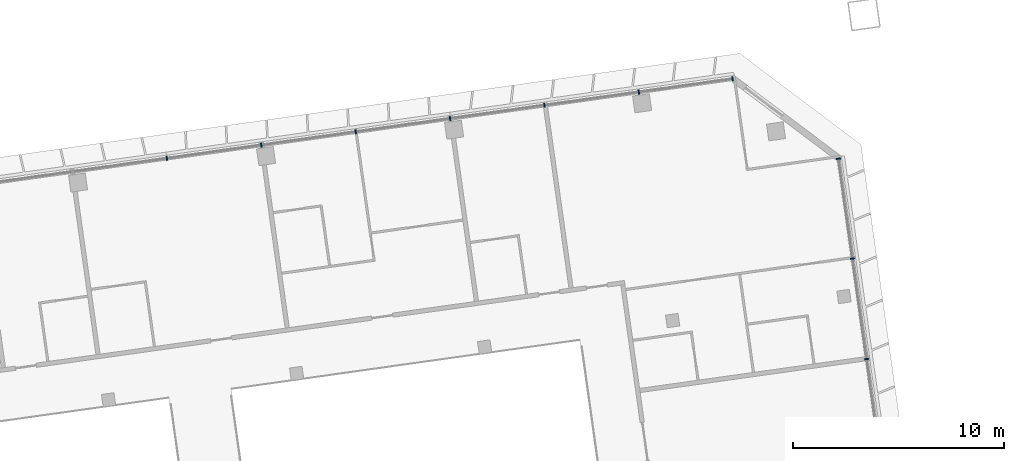
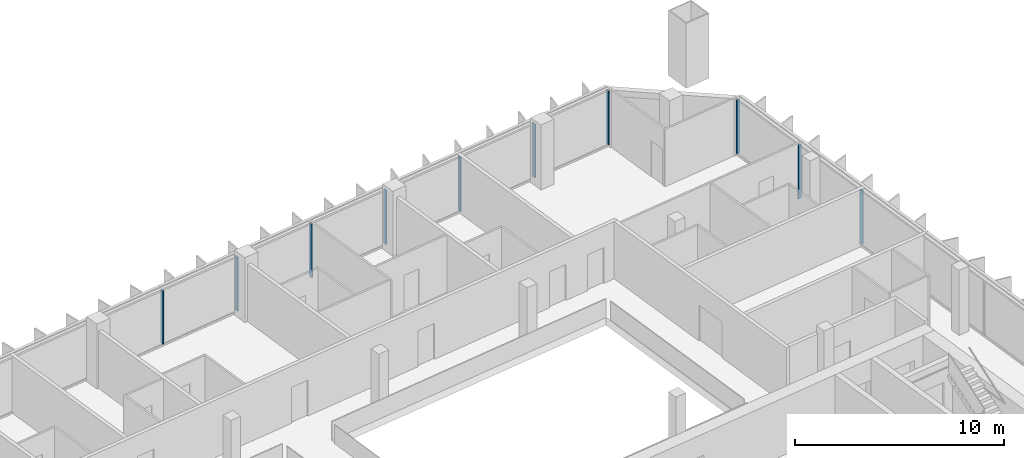
# One storey, part 13 of 26: 10 members, 2 elements without a shape of their own.
"""IFC4 building model written with IfcOpenShell, lengths in metres."""

from ifc_helpers import new_model, si_unit, direction, frame, origin, origin_2d, place, context, subcontext, project, spatial, rectangle, extrude, material, material_profile, profile_set, type_object, element, aggregate, save


model = new_model("IFC4")

# Units and contexts
model_context = context("Model", 3, precision=1e-05, world=origin(), true_north=direction((0.0, 1.0)))
body_context = subcontext(model_context, "Body", "Model", "MODEL_VIEW")
ifc_project = project(units=[si_unit("LENGTHUNIT", "METRE"), si_unit("AREAUNIT", "SQUARE_METRE"), si_unit("VOLUMEUNIT", "CUBIC_METRE"), si_unit("PLANEANGLEUNIT", "RADIAN"), si_unit("MASSUNIT", "GRAM", prefix="KILO")], contexts=[model_context])

# Site, building, storey
site_placement = place(None, origin())
site = spatial("IfcSite", under=ifc_project, at=site_placement, CompositionType="ELEMENT")
building_placement = place(site_placement, origin())
building = spatial("IfcBuilding", under=site, at=building_placement, Name="Mirante Cascada Hotel Towers", CompositionType="ELEMENT")
storey_placement = place(building_placement, frame((0.0, 0.0, 168.8)))
storey = spatial("IfcBuildingStorey", under=building, at=storey_placement, Name="L39", CompositionType="ELEMENT", Elevation=168.8)

# Curtain wall, members
ifc_material_1 = material(Name="Aluminium mullion and transom frame with clear laminated glass", Category="aluminium")
curtain_wall_type_1 = type_object("IfcCurtainWallType", Name="Ribbon curtain wall ECW1", PredefinedType="NOTDEFINED", material=ifc_material_1)
curtain_wall_1_placement = place(storey_placement, origin())
curtain_wall_1 = element("IfcCurtainWall", 1, at=curtain_wall_1_placement, inside=storey, type_object=curtain_wall_type_1, Name="Front ribbon wall T2 L39", PredefinedType="NOTDEFINED")
ifc_material_2 = material(Name="Anodised aluminium extrusion", Category="aluminium")
ifc_material_profile_1 = material_profile(ifc_material_2, rectangle(XDim=0.2, YDim=0.065, at=origin_2d()), Name="ECW1 MULLION 65x200")
ifc_profile_set_1 = profile_set([ifc_material_profile_1], Name="Anodised aluminium extrusion")
member_type_1 = type_object("IfcMemberType", Name="ECW1 mullion 65x200", PredefinedType="MULLION", material=ifc_profile_set_1)
member_1_placement = place(storey_placement, frame((85.2136, 24.795, 0.1), z_axis=(0.0, 0.0, 1.0), x_axis=(0.1391731, -0.9902681, 0.0)))
member_1 = element("IfcMember", 2, at=member_1_placement, type_object=member_type_1, Name="ECW1 mullion 1", PredefinedType="MULLION", context=body_context, shape_type="SweptSolid", body=[
    extrude(rectangle(XDim=0.2, YDim=0.065, at=origin_2d()), origin(), (0.0, 0.0, 1.0), 3.15),
])
member_2_placement = place(storey_placement, frame((80.7719, 24.1708, 0.1), z_axis=(0.0, 0.0, 1.0), x_axis=(0.1391731, -0.9902681, 0.0)))
member_2 = element("IfcMember", 3, at=member_2_placement, type_object=member_type_1, Name="ECW1 mullion 2", PredefinedType="MULLION", context=body_context, shape_type="SweptSolid", body=[
    extrude(rectangle(XDim=0.2, YDim=0.065, at=origin_2d()), origin(), (0.0, 0.0, 1.0), 3.15),
])
member_3_placement = place(storey_placement, frame((76.2981, 23.542, 0.1), z_axis=(0.0, 0.0, 1.0), x_axis=(0.1391731, -0.9902681, 0.0)))
member_3 = element("IfcMember", 4, at=member_3_placement, type_object=member_type_1, Name="ECW1 mullion 3", PredefinedType="MULLION", context=body_context, shape_type="SweptSolid", body=[
    extrude(rectangle(XDim=0.2, YDim=0.065, at=origin_2d()), origin(), (0.0, 0.0, 1.0), 3.15),
])
member_4_placement = place(storey_placement, frame((71.8243, 22.9133, 0.1), z_axis=(0.0, 0.0, 1.0), x_axis=(0.1391731, -0.9902681, 0.0)))
member_4 = element("IfcMember", 5, at=member_4_placement, type_object=member_type_1, Name="ECW1 mullion 4", PredefinedType="MULLION", context=body_context, shape_type="SweptSolid", body=[
    extrude(rectangle(XDim=0.2, YDim=0.065, at=origin_2d()), origin(), (0.0, 0.0, 1.0), 3.15),
])
member_5_placement = place(storey_placement, frame((67.3505, 22.2845, 0.1), z_axis=(0.0, 0.0, 1.0), x_axis=(0.1391731, -0.9902681, 0.0)))
member_5 = element("IfcMember", 6, at=member_5_placement, type_object=member_type_1, Name="ECW1 mullion 5", PredefinedType="MULLION", context=body_context, shape_type="SweptSolid", body=[
    extrude(rectangle(XDim=0.2, YDim=0.065, at=origin_2d()), origin(), (0.0, 0.0, 1.0), 3.15),
])
member_6_placement = place(storey_placement, frame((62.8767, 21.6558, 0.1), z_axis=(0.0, 0.0, 1.0), x_axis=(0.1391731, -0.9902681, 0.0)))
member_6 = element("IfcMember", 7, at=member_6_placement, type_object=member_type_1, Name="ECW1 mullion 6", PredefinedType="MULLION", context=body_context, shape_type="SweptSolid", body=[
    extrude(rectangle(XDim=0.2, YDim=0.065, at=origin_2d()), origin(), (0.0, 0.0, 1.0), 3.15),
])
member_7_placement = place(storey_placement, frame((58.4028, 21.027, 0.1), z_axis=(0.0, 0.0, 1.0), x_axis=(0.1391731, -0.9902681, 0.0)))
member_7 = element("IfcMember", 8, at=member_7_placement, type_object=member_type_1, Name="ECW1 mullion 7", PredefinedType="MULLION", context=body_context, shape_type="SweptSolid", body=[
    extrude(rectangle(XDim=0.2, YDim=0.065, at=origin_2d()), origin(), (0.0, 0.0, 1.0), 3.15),
])
aggregate(curtain_wall_1, [member_1, member_2, member_3, member_4, member_5, member_6, member_7])

ifc_material_3 = material(Name="Aluminium mullion and transom frame with clear laminated glass", Category="aluminium")
curtain_wall_type_2 = type_object("IfcCurtainWallType", Name="End ribbon curtain wall ECW2", PredefinedType="NOTDEFINED", material=ifc_material_3)
curtain_wall_2_placement = place(storey_placement, origin())
curtain_wall_2 = element("IfcCurtainWall", 9, at=curtain_wall_2_placement, inside=storey, type_object=curtain_wall_type_2, Name="Outer end wall T2 L39", PredefinedType="NOTDEFINED")
ifc_material_4 = material(Name="Anodised aluminium extrusion", Category="aluminium")
ifc_material_profile_2 = material_profile(ifc_material_4, rectangle(XDim=0.2, YDim=0.065, at=origin_2d()), Name="ECW2 MULLION 65x200")
ifc_profile_set_2 = profile_set([ifc_material_profile_2], Name="Anodised aluminium extrusion")
member_type_2 = type_object("IfcMemberType", Name="ECW2 mullion 65x200", PredefinedType="MULLION", material=ifc_profile_set_2)
member_8_placement = place(storey_placement, frame((91.5686, 11.5128, 0.1), z_axis=(0.0, 0.0, 1.0), x_axis=(-0.9902681, -0.1391731, 0.0)))
member_8 = element("IfcMember", 10, at=member_8_placement, type_object=member_type_2, Name="ECW2 mullion 5", PredefinedType="MULLION", context=body_context, shape_type="SweptSolid", body=[
    extrude(rectangle(XDim=0.2, YDim=0.065, at=origin_2d()), origin(), (0.0, 0.0, 1.0), 3.15),
])
member_9_placement = place(storey_placement, frame((90.8988, 16.2786, 0.1), z_axis=(0.0, 0.0, 1.0), x_axis=(-0.9902681, -0.1391731, 0.0)))
member_9 = element("IfcMember", 11, at=member_9_placement, type_object=member_type_2, Name="ECW2 mullion 6", PredefinedType="MULLION", context=body_context, shape_type="SweptSolid", body=[
    extrude(rectangle(XDim=0.2, YDim=0.065, at=origin_2d()), origin(), (0.0, 0.0, 1.0), 3.15),
])
member_10_placement = place(storey_placement, frame((90.2335, 21.0122, 0.1), z_axis=(0.0, 0.0, 1.0), x_axis=(-0.9902681, -0.1391731, 0.0)))
member_10 = element("IfcMember", 12, at=member_10_placement, type_object=member_type_2, Name="ECW2 mullion 7", PredefinedType="MULLION", context=body_context, shape_type="SweptSolid", body=[
    extrude(rectangle(XDim=0.2, YDim=0.065, at=origin_2d()), origin(), (0.0, 0.0, 1.0), 3.15),
])
aggregate(curtain_wall_2, [member_8, member_9, member_10])

save(model, "model.ifc")
